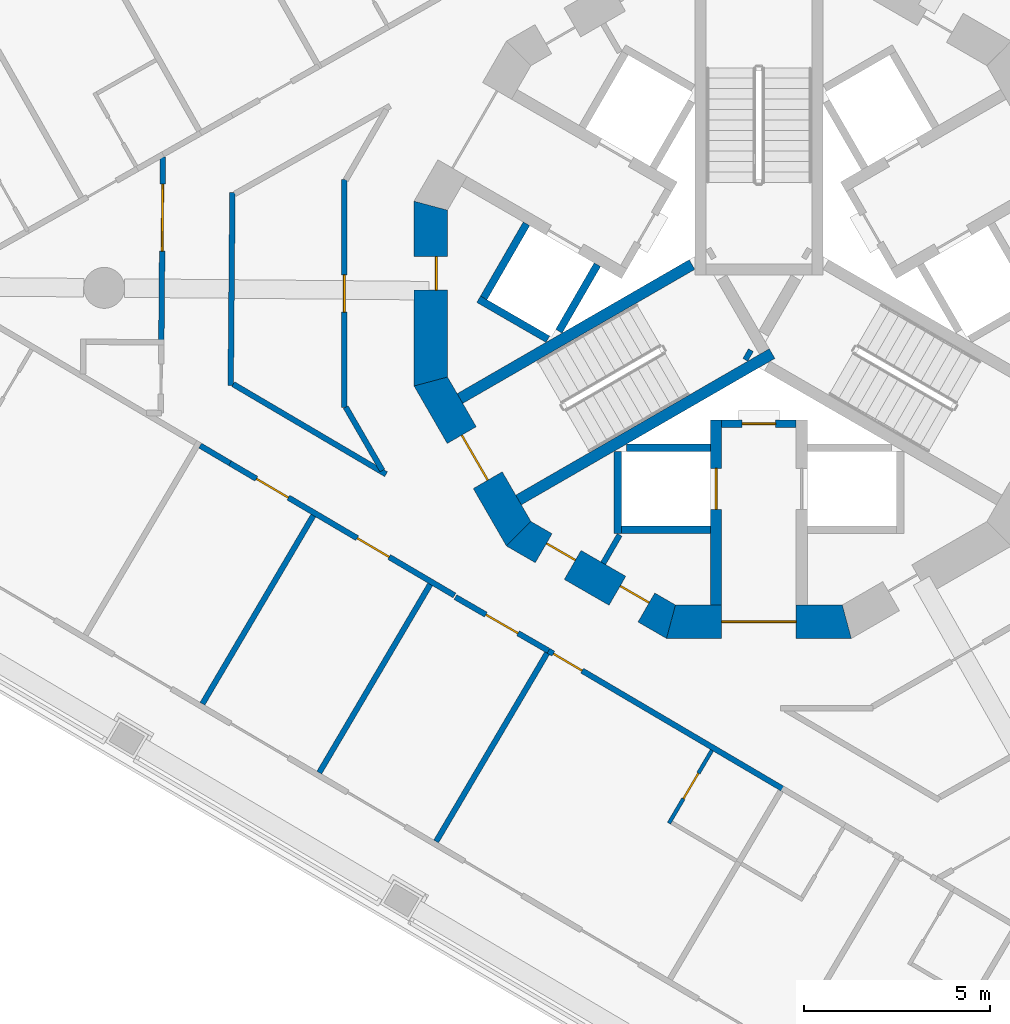
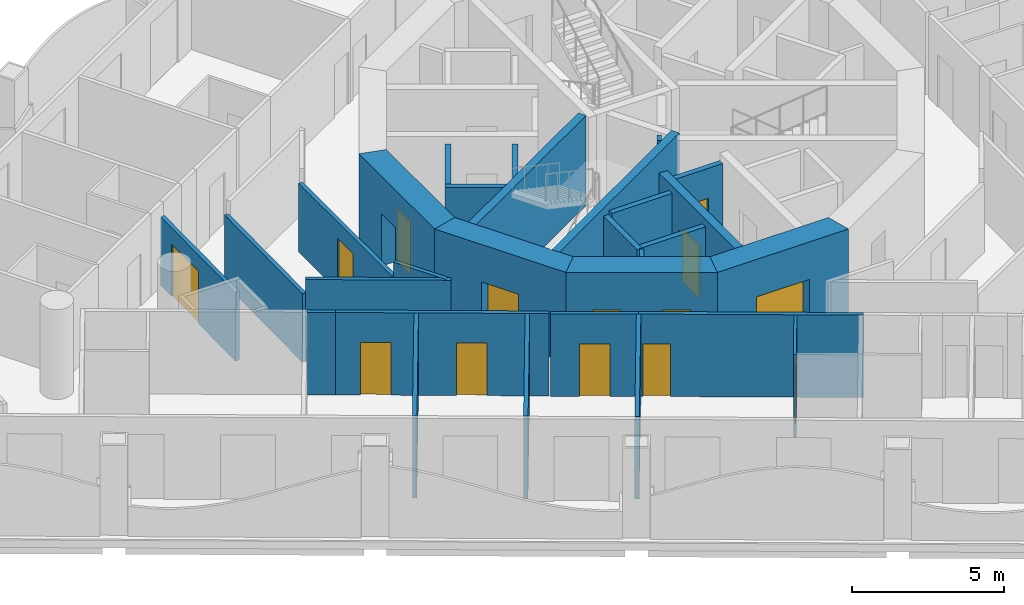
# One storey, part 3 of 17: 29 walls, 14 doors, 14 openings.
"""IFC4 building model written with IfcOpenShell, lengths in metres."""

from ifc_helpers import new_model, si_unit, direction, frame, frame_2d, origin, place, context, subcontext, project, spatial, polyline, rectangle, outline, extrude, material, layer, layer_set, type_object, element, fill, save


model = new_model("IFC4")

# Units and contexts
model_context = context("Model", 3, precision=1e-05, world=origin(), true_north=direction((0.0, 1.0)))
body_context = subcontext(model_context, "Body", "Model", "MODEL_VIEW")
ifc_project = project(units=[si_unit("LENGTHUNIT", "METRE"), si_unit("AREAUNIT", "SQUARE_METRE"), si_unit("VOLUMEUNIT", "CUBIC_METRE"), si_unit("PLANEANGLEUNIT", "RADIAN"), si_unit("MASSUNIT", "GRAM", prefix="KILO")], contexts=[model_context])

# Site, building, storey
site_placement = place(None, origin())
site = spatial("IfcSite", under=ifc_project, at=site_placement, CompositionType="ELEMENT")
building_placement = place(site_placement, origin())
building = spatial("IfcBuilding", under=site, at=building_placement, Name="Trine Commons Tower", CompositionType="ELEMENT")
storey_placement = place(building_placement, frame((0.0, 0.0, 182.699951171875)))
storey = spatial("IfcBuildingStorey", under=building, at=storey_placement, Name="L47", CompositionType="ELEMENT", Elevation=182.699951171875)

# Wall
ifc_material_1 = material(Name="Plasterboard partition on steel studs", Category="steel")
ifc_layer_1 = layer(ifc_material_1, 0.14990234375)
ifc_layer_set_1 = layer_set([ifc_layer_1], Name="Plasterboard partition on steel studs")
wall_type_1 = type_object("IfcWallType", Name="Core room partition 150 mm, EI 60", PredefinedType="PARTITIONING", material=ifc_layer_set_1)
wall_1_placement = place(storey_placement, frame((75.81396484375, 55.2490234375, 0.0), z_axis=(0.0, 0.0, 1.0), x_axis=(0.499890179513, 0.866088799389, 0.0)))
element("IfcWall", 1, at=wall_1_placement, inside=storey, type_object=wall_type_1, Name="Core room partition L47", PredefinedType="PARTITIONING", context=body_context, shape_type="SweptSolid", body=[
    extrude(rectangle(XDim=0.882080078125, YDim=0.14990234375, at=frame_2d((0.44091796875, 0.0))), origin(), (0.0, 0.0, 1.0), 3.300048828125),
])

# Wall, opening, door
ifc_material_2 = material(Name="Fire-rated gypsum shaft wall system")
ifc_layer_2 = layer(ifc_material_2, 0.199951171875)
ifc_layer_set_2 = layer_set([ifc_layer_2], Name="Fire-rated gypsum shaft wall system")
wall_type_2 = type_object("IfcWallType", Name="Lobby end wall 200 mm, EI 120", PredefinedType="PARTITIONING", material=ifc_layer_set_2)
wall_2_placement = place(storey_placement, frame((79.0, 59.0, 0.0), z_axis=(0.0, 0.0, 1.0), x_axis=(1.0, 0.0, 0.0)))
wall_2 = element("IfcWall", 2, at=wall_2_placement, inside=storey, type_object=wall_type_2, Name="Lobby end wall L47", PredefinedType="PARTITIONING", context=body_context, shape_type="SweptSolid", body=[
    extrude(rectangle(XDim=2.0, YDim=0.199951171875, at=frame_2d((1.0, 0.0))), origin(), (0.0, 0.0, 1.0), 3.300048828125),
])
opening_1_placement = place(wall_2_placement, frame((0.550048828125, 0.0, 0.0)))
opening_1 = element("IfcOpeningElement", 3, at=opening_1_placement, cuts=wall_2, Name="Opening K10.09", PredefinedType="OPENING", context=body_context, shape_type="SweptSolid", body=[
    extrude(rectangle(XDim=0.89990234375, YDim=2.10009765625, at=frame_2d((0.449951171875, 1.050048828125))), frame((0.0, 0.10986328125, 0.0), z_axis=(0.0, -1.0, 0.0), x_axis=(1.0, 0.0, 0.0)), (0.0, 0.0, 1.0), 0.219970703125),
])
ifc_material_3 = material(Name="Steel door leaf, fire-rated", Category="steel")
door_type_1 = type_object("IfcDoorType", Name="Riser access door, single leaf 900 x 2100, FD60", OperationType="SINGLE_SWING_LEFT", PredefinedType="DOOR", material=ifc_material_3)
door_1_placement = place(opening_1_placement, frame((0.89990234375, 0.0, 0.0), z_axis=(0.0, 0.0, 1.0), x_axis=(-1.0, 0.0, 0.0)))
door_1 = element("IfcDoor", 4, at=door_1_placement, inside=storey, type_object=door_type_1, Name="Riser door, Communications riser L47", OperationType="SINGLE_SWING_RIGHT", OverallHeight=2.10009765625, OverallWidth=0.89990234375, PredefinedType="DOOR", context=body_context, shape_type="SweptSolid", body=[
    extrude(rectangle(XDim=0.89990234375, YDim=2.10009765625, at=frame_2d((0.449951171875, 1.050048828125))), frame((0.0, 0.02490234375, 0.0), z_axis=(0.0, -1.0, 0.0), x_axis=(1.0, 0.0, 0.0)), (0.0, 0.0, 1.0), 0.050048828125),
])
fill(opening_1, door_1)

ifc_material_4 = material(Name="Concrete C60/75", Category="concrete")
ifc_layer_3 = layer(ifc_material_4, 0.300048828125)
ifc_layer_set_3 = layer_set([ifc_layer_3], Name="Concrete C60/75")
wall_type_3 = type_object("IfcWallType", Name="RC shear wall 300 mm, C60/75", PredefinedType="SHEAR", material=ifc_layer_set_3)
wall_3_placement = place(storey_placement, frame((78.85009765625, 59.10009765625, 0.0), z_axis=(0.0, 0.0, 1.0), x_axis=(0.0, -1.0, 0.0)))
wall_3 = element("IfcWall", 5, at=wall_3_placement, inside=storey, type_object=wall_type_3, Name="Core cross wall SWB-03 L47", PredefinedType="SHEAR", context=body_context, shape_type="SweptSolid", body=[
    extrude(rectangle(XDim=4.97314453125, YDim=0.300048828125, at=frame_2d((2.486572265625, 0.0))), origin(), (0.0, 0.0, 1.0), 3.60009765625),
])
opening_2_placement = place(wall_3_placement, frame((1.300048828125, 0.0, 0.0)))
opening_2 = element("IfcOpeningElement", 6, at=opening_2_placement, cuts=wall_3, Name="Opening LD10", PredefinedType="OPENING", context=body_context, shape_type="SweptSolid", body=[
    extrude(rectangle(XDim=1.10009765625, YDim=2.10009765625, at=frame_2d((0.550048828125, 1.050048828125))), frame((0.0, 0.159912109375, 0.0), z_axis=(0.0, -1.0, 0.0), x_axis=(1.0, 0.0, 0.0)), (0.0, 0.0, 1.0), 0.320068359375),
])
ifc_material_5 = material(Name="Stainless steel sliding door leaves", Category="steel")
door_type_2 = type_object("IfcDoorType", Name="Lift landing door, centre-opening sliding 1100 x 2100, FD90", OperationType="DOUBLE_DOOR_SLIDING", PredefinedType="DOOR", material=ifc_material_5)
door_2_placement = place(opening_2_placement, origin())
door_2 = element("IfcDoor", 7, at=door_2_placement, inside=storey, type_object=door_type_2, Name="Lift landing door FF2 L47", OperationType="DOUBLE_DOOR_SLIDING", OverallHeight=2.10009765625, OverallWidth=1.10009765625, PredefinedType="DOOR", context=body_context, shape_type="SweptSolid", body=[
    extrude(rectangle(XDim=1.10009765625, YDim=2.10009765625, at=frame_2d((0.550048828125, 1.050048828125))), frame((0.0, 0.02490234375, 0.0), z_axis=(0.0, -1.0, 0.0), x_axis=(1.0, 0.0, 0.0)), (0.0, 0.0, 1.0), 0.050048828125),
])
fill(opening_2, door_2)

# Walls
wall_4_placement = place(storey_placement, frame((78.199951171875, 63.280029296875, 0.0), z_axis=(0.0, 0.0, 1.0), x_axis=(-0.866028135082, -0.499995269223, 0.0)))
element("IfcWall", 8, at=wall_4_placement, inside=storey, type_object=wall_type_3, Name="Core cross wall SWB-07 L47", PredefinedType="SHEAR", context=body_context, shape_type="SweptSolid", body=[
    extrude(rectangle(XDim=7.2041015625, YDim=0.300048828125, at=frame_2d((3.60205078125, 0.0))), origin(), (0.0, 0.0, 1.0), 3.60009765625),
])
wall_5_placement = place(storey_placement, frame((79.64599609375, 60.885986328125, 0.0), z_axis=(0.0, 0.0, 1.0), x_axis=(0.867331893649, -0.497730234424, 0.0)))
element("IfcWall", 9, at=wall_5_placement, inside=storey, type_object=wall_type_3, Name="Core cross wall SWB-11 L47", PredefinedType="SHEAR", context=body_context, shape_type="SweptSolid", body=[
    extrude(rectangle(XDim=0.148681640625, YDim=0.300048828125, at=frame_2d((0.07421875, 0.0))), origin(), (0.0, 0.0, 1.0), 3.60009765625),
])
wall_6_placement = place(storey_placement, frame((80.35400390625, 60.885986328125, 0.0), z_axis=(0.0, 0.0, 1.0), x_axis=(-0.866047706748, -0.499961368145, 0.0)))
element("IfcWall", 10, at=wall_6_placement, inside=storey, type_object=wall_type_3, Name="Core cross wall SWB-14 L47", PredefinedType="SHEAR", context=body_context, shape_type="SweptSolid", body=[
    extrude(rectangle(XDim=7.87255859375, YDim=0.300048828125, at=frame_2d((3.936279296875, 0.0))), origin(), (0.0, 0.0, 1.0), 3.60009765625),
])

# Wall, opening, door
ifc_layer_4 = layer(ifc_material_4, 0.89990234375)
ifc_layer_set_4 = layer_set([ifc_layer_4], Name="Concrete C60/75")
wall_type_4 = type_object("IfcWallType", Name="RC shear wall 900 mm, C60/75", PredefinedType="SHEAR", material=ifc_layer_set_4)
wall_7_placement = place(storey_placement, frame((71.177001953125, 64.984619140625, 0.0), z_axis=(0.0, 0.0, 1.0), x_axis=(0.0, -1.0, 0.0)))
wall_7 = element("IfcWall", 11, at=wall_7_placement, inside=storey, type_object=wall_type_4, Name="Core wall CWE-07 L47", PredefinedType="SHEAR", context=body_context, shape_type="SweptSolid", body=[
    extrude(outline(polyline([(0.0, -0.449951171875), (4.969482421875, -0.449951171875), (4.728271484375, 0.449951171875), (0.2412109375, 0.449951171875), (0.0, -0.449951171875)])), origin(), (0.0, 0.0, 1.0), 3.60009765625),
])
opening_3_placement = place(wall_7_placement, frame((1.49365234375, 0.0, 0.0)))
opening_3 = element("IfcOpeningElement", 12, at=opening_3_placement, cuts=wall_7, Name="Opening K10.15", PredefinedType="OPENING", context=body_context, shape_type="SweptSolid", body=[
    extrude(rectangle(XDim=0.89990234375, YDim=2.10009765625, at=frame_2d((0.449951171875, 1.050048828125))), frame((0.0, 0.4599609375, 0.0), z_axis=(0.0, -1.0, 0.0), x_axis=(1.0, 0.0, 0.0)), (0.0, 0.0, 1.0), 0.919921875),
])
door_type_3 = type_object("IfcDoorType", Name="Core room door, single leaf 900 x 2100, FD30S", OperationType="SINGLE_SWING_LEFT", PredefinedType="DOOR", material=ifc_material_3)
door_3_placement = place(opening_3_placement, origin())
door_3 = element("IfcDoor", 13, at=door_3_placement, inside=storey, type_object=door_type_3, Name="Door to Cleaner's store L47", OperationType="SINGLE_SWING_LEFT", OverallHeight=2.10009765625, OverallWidth=0.89990234375, PredefinedType="DOOR", context=body_context, shape_type="SweptSolid", body=[
    extrude(rectangle(XDim=0.89990234375, YDim=2.10009765625, at=frame_2d((0.449951171875, 1.050048828125))), frame((0.0, 0.1748046875, 0.0), z_axis=(0.0, -1.0, 0.0), x_axis=(1.0, 0.0, 0.0)), (0.0, 0.0, 1.0), 0.050048828125),
])
fill(opening_3, door_3)

wall_8_placement = place(storey_placement, frame((71.11669921875, 60.240234375, 0.0), z_axis=(0.0, 0.0, 1.0), x_axis=(0.500038571144, -0.866003133579, 0.0)))
wall_8 = element("IfcWall", 14, at=wall_8_placement, inside=storey, type_object=wall_type_4, Name="Core wall CWE-08 L47", PredefinedType="SHEAR", context=body_context, shape_type="SweptSolid", body=[
    extrude(outline(polyline([(0.0, -0.449951171875), (4.96923828125, -0.449951171875), (4.72802734375, 0.449951171875), (0.2412109375, 0.449951171875), (0.0, -0.449951171875)])), origin(), (0.0, 0.0, 1.0), 3.60009765625),
])
opening_4_placement = place(wall_8_placement, frame((1.78466796875, 0.0, 0.0)))
opening_4 = element("IfcOpeningElement", 15, at=opening_4_placement, cuts=wall_8, Name="Opening K10.02", PredefinedType="OPENING", context=body_context, shape_type="SweptSolid", body=[
    extrude(rectangle(XDim=1.39990234375, YDim=2.10009765625, at=frame_2d((0.699951171875, 1.050048828125))), frame((0.0, 0.4599609375, 0.0), z_axis=(0.0, -1.0, 0.0), x_axis=(1.0, 0.0, 0.0)), (0.0, 0.0, 1.0), 0.919921875),
])
ifc_material_6 = material(Name="Steel door leaves, fire-rated", Category="steel")
door_type_4 = type_object("IfcDoorType", Name="Stair door, double leaf 1400 x 2100, FD90", OperationType="DOUBLE_DOOR_SINGLE_SWING", PredefinedType="DOOR", material=ifc_material_6)
door_4_placement = place(opening_4_placement, origin())
door_4 = element("IfcDoor", 16, at=door_4_placement, inside=storey, type_object=door_type_4, Name="Stair door to Exit stair ST2B L47", OperationType="DOUBLE_DOOR_SINGLE_SWING", OverallHeight=2.10009765625, OverallWidth=1.39990234375, PredefinedType="DOOR", context=body_context, shape_type="SweptSolid", body=[
    extrude(rectangle(XDim=1.39990234375, YDim=2.10009765625, at=frame_2d((0.699951171875, 1.050048828125))), frame((0.0, 0.02490234375, 0.0), z_axis=(0.0, -1.0, 0.0), x_axis=(1.0, 0.0, 0.0)), (0.0, 0.0, 1.0), 0.050048828125),
])
fill(opening_4, door_4)

# Wall, openings, doors
wall_9_placement = place(storey_placement, frame((73.436767578125, 56.1015625, 0.0), z_axis=(0.0, 0.0, 1.0), x_axis=(0.866003133579, -0.500038571144, 0.0)))
wall_9 = element("IfcWall", 17, at=wall_9_placement, inside=storey, type_object=wall_type_4, Name="Core wall CWE-09 L47", PredefinedType="SHEAR", context=body_context, shape_type="SweptSolid", body=[
    extrude(outline(polyline([(0.0, -0.449951171875), (4.96923828125, -0.449951171875), (4.72802734375, 0.449951171875), (0.2412109375, 0.449951171875), (0.0, -0.449951171875)])), origin(), (0.0, 0.0, 1.0), 3.60009765625),
])
opening_5_placement = place(wall_9_placement, frame((0.89599609375, 0.0, 0.0)))
opening_5 = element("IfcOpeningElement", 18, at=opening_5_placement, cuts=wall_9, Name="Opening K10.16", PredefinedType="OPENING", context=body_context, shape_type="SweptSolid", body=[
    extrude(rectangle(XDim=0.89990234375, YDim=2.10009765625, at=frame_2d((0.449951171875, 1.050048828125))), frame((0.0, 0.4599609375, 0.0), z_axis=(0.0, -1.0, 0.0), x_axis=(1.0, 0.0, 0.0)), (0.0, 0.0, 1.0), 0.919921875),
])
opening_6_placement = place(wall_9_placement, frame((3.18505859375, 0.0, 0.0)))
opening_6 = element("IfcOpeningElement", 19, at=opening_6_placement, cuts=wall_9, Name="Opening K10.17", PredefinedType="OPENING", context=body_context, shape_type="SweptSolid", body=[
    extrude(rectangle(XDim=0.89990234375, YDim=2.10009765625, at=frame_2d((0.449951171875, 1.050048828125))), frame((0.0, 0.4599609375, 0.0), z_axis=(0.0, -1.0, 0.0), x_axis=(1.0, 0.0, 0.0)), (0.0, 0.0, 1.0), 0.919921875),
])
door_5_placement = place(opening_5_placement, origin())
door_5 = element("IfcDoor", 20, at=door_5_placement, inside=storey, type_object=door_type_3, Name="Door to Linen store L47", OperationType="SINGLE_SWING_LEFT", OverallHeight=2.10009765625, OverallWidth=0.89990234375, PredefinedType="DOOR", context=body_context, shape_type="SweptSolid", body=[
    extrude(rectangle(XDim=0.89990234375, YDim=2.10009765625, at=frame_2d((0.449951171875, 1.050048828125))), frame((0.0, 0.1748046875, 0.0), z_axis=(0.0, -1.0, 0.0), x_axis=(1.0, 0.0, 0.0)), (0.0, 0.0, 1.0), 0.050048828125),
])
fill(opening_5, door_5)
door_6_placement = place(opening_6_placement, origin())
door_6 = element("IfcDoor", 21, at=door_6_placement, inside=storey, type_object=door_type_3, Name="Door to Pantry L47", OperationType="SINGLE_SWING_RIGHT", OverallHeight=2.10009765625, OverallWidth=0.89990234375, PredefinedType="DOOR", context=body_context, shape_type="SweptSolid", body=[
    extrude(rectangle(XDim=0.89990234375, YDim=2.10009765625, at=frame_2d((0.449951171875, 1.050048828125))), frame((0.0, 0.1748046875, 0.0), z_axis=(0.0, -1.0, 0.0), x_axis=(1.0, 0.0, 0.0)), (0.0, 0.0, 1.0), 0.050048828125),
])
fill(opening_6, door_6)

# Wall, opening, door
wall_10_placement = place(storey_placement, frame((77.515380859375, 53.677001953125, 0.0), z_axis=(0.0, 0.0, 1.0), x_axis=(1.0, 0.0, 0.0)))
wall_10 = element("IfcWall", 22, at=wall_10_placement, inside=storey, type_object=wall_type_4, Name="Core wall CWE-10 L47", PredefinedType="SHEAR", context=body_context, shape_type="SweptSolid", body=[
    extrude(outline(polyline([(0.0, -0.449951171875), (4.969482421875, -0.449951171875), (4.728271484375, 0.449951171875), (0.2412109375, 0.449951171875), (0.0, -0.449951171875)])), origin(), (0.0, 0.0, 1.0), 3.60009765625),
])
opening_7_placement = place(wall_10_placement, frame((1.484619140625, 0.0, 0.0)))
opening_7 = element("IfcOpeningElement", 23, at=opening_7_placement, cuts=wall_10, Name="Opening K10.08", PredefinedType="OPENING", context=body_context, shape_type="SweptSolid", body=[
    extrude(rectangle(XDim=2.0, YDim=2.10009765625, at=frame_2d((1.0, 1.050048828125))), frame((0.0, 0.4599609375, 0.0), z_axis=(0.0, -1.0, 0.0), x_axis=(1.0, 0.0, 0.0)), (0.0, 0.0, 1.0), 0.919921875),
])
door_type_5 = type_object("IfcDoorType", Name="Lobby door, double leaf 2000 x 2100, FD60", OperationType="DOUBLE_DOOR_SINGLE_SWING", PredefinedType="DOOR", material=ifc_material_6)
door_7_placement = place(opening_7_placement, origin())
door_7 = element("IfcDoor", 24, at=door_7_placement, inside=storey, type_object=door_type_5, Name="Lobby door, Service and firefighting lobby L47", OperationType="DOUBLE_DOOR_SINGLE_SWING", OverallHeight=2.10009765625, OverallWidth=2.0, PredefinedType="DOOR", context=body_context, shape_type="SweptSolid", body=[
    extrude(rectangle(XDim=2.0, YDim=2.10009765625, at=frame_2d((1.0, 1.050048828125))), frame((0.0, 0.02490234375, 0.0), z_axis=(0.0, -1.0, 0.0), x_axis=(1.0, 0.0, 0.0)), (0.0, 0.0, 1.0), 0.050048828125),
])
fill(opening_7, door_7)

# Walls
ifc_layer_5 = layer(ifc_material_2, 0.199951171875)
ifc_layer_set_5 = layer_set([ifc_layer_5], Name="Fire-rated gypsum shaft wall system")
wall_type_5 = type_object("IfcWallType", Name="Shaft wall 200 mm, EI 120", PredefinedType="PARTITIONING", material=ifc_layer_set_5)
wall_11_placement = place(storey_placement, frame((73.7509765625, 64.3759765625, 0.0), z_axis=(0.0, 0.0, 1.0), x_axis=(-0.500136062276, -0.86594683394, 0.0)))
element("IfcWall", 25, at=wall_11_placement, inside=storey, type_object=wall_type_5, Name="Shaft wall L47", PredefinedType="PARTITIONING", context=body_context, shape_type="SweptSolid", body=[
    extrude(rectangle(XDim=2.299072265625, YDim=0.199951171875, at=frame_2d((1.1494140625, 0.0))), origin(), (0.0, 0.0, 1.0), 3.300048828125),
])
wall_12_placement = place(storey_placement, frame((74.324951171875, 61.27392578125, 0.0), z_axis=(0.0, 0.0, 1.0), x_axis=(-0.866102336459, 0.499866725018, 0.0)))
element("IfcWall", 26, at=wall_12_placement, inside=storey, type_object=wall_type_5, Name="Shaft wall L47", PredefinedType="PARTITIONING", context=body_context, shape_type="SweptSolid", body=[
    extrude(rectangle(XDim=2.1484375, YDim=0.199951171875, at=frame_2d((1.07421875, 0.0))), origin(), (0.0, 0.0, 1.0), 3.300048828125),
])
wall_13_placement = place(storey_placement, frame((75.656005859375, 63.27587890625, 0.0), z_axis=(0.0, 0.0, 1.0), x_axis=(-0.500271688072, -0.86586848777, 0.0)))
element("IfcWall", 27, at=wall_13_placement, inside=storey, type_object=wall_type_5, Name="Shaft wall L47", PredefinedType="PARTITIONING", context=body_context, shape_type="SweptSolid", body=[
    extrude(rectangle(XDim=2.064697265625, YDim=0.199951171875, at=frame_2d((1.0322265625, 0.0))), origin(), (0.0, 0.0, 1.0), 3.300048828125),
])
wall_14_placement = place(storey_placement, frame((76.199951171875, 58.257080078125, 0.0), z_axis=(0.0, 0.0, 1.0), x_axis=(0.0, -1.0, 0.0)))
element("IfcWall", 28, at=wall_14_placement, inside=storey, type_object=wall_type_5, Name="Shaft wall L47", PredefinedType="PARTITIONING", context=body_context, shape_type="SweptSolid", body=[
    extrude(rectangle(XDim=2.20703125, YDim=0.199951171875, at=frame_2d((1.103515625, 0.0))), origin(), (0.0, 0.0, 1.0), 3.300048828125),
])
wall_15_placement = place(storey_placement, frame((78.699951171875, 56.14990234375, 0.0), z_axis=(0.0, 0.0, 1.0), x_axis=(-1.0, 0.0, 0.0)))
element("IfcWall", 29, at=wall_15_placement, inside=storey, type_object=wall_type_5, Name="Shaft wall L47", PredefinedType="PARTITIONING", context=body_context, shape_type="SweptSolid", body=[
    extrude(rectangle(XDim=2.39990234375, YDim=0.199951171875, at=frame_2d((1.199951171875, 0.0))), origin(), (0.0, 0.0, 1.0), 3.300048828125),
])
wall_16_placement = place(storey_placement, frame((78.699951171875, 58.35009765625, 0.0), z_axis=(0.0, 0.0, 1.0), x_axis=(-1.0, 0.0, 0.0)))
element("IfcWall", 30, at=wall_16_placement, inside=storey, type_object=wall_type_5, Name="Shaft wall L47", PredefinedType="PARTITIONING", context=body_context, shape_type="SweptSolid", body=[
    extrude(rectangle(XDim=2.264892578125, YDim=0.199951171875, at=frame_2d((1.13232421875, 0.0))), origin(), (0.0, 0.0, 1.0), 3.300048828125),
])

# Wall, opening, door
ifc_material_7 = material(Name="Gypsum plasterboard on steel stud", Category="steel")
ifc_layer_6 = layer(ifc_material_7, 0.14990234375)
ifc_layer_set_6 = layer_set([ifc_layer_6], Name="Gypsum plasterboard on steel stud")
wall_type_6 = type_object("IfcWallType", Name="Unit and corridor wall 150 mm, EI 60", PredefinedType="PARTITIONING", material=ifc_layer_set_6)
wall_17_placement = place(storey_placement, frame((63.931884765625, 61.18310546875, 0.0), z_axis=(0.0, 0.0, 1.0), x_axis=(0.008717466764, 0.999962002165, 0.0)))
wall_17 = element("IfcWall", 31, at=wall_17_placement, inside=storey, type_object=wall_type_6, Name="Partition 021", PredefinedType="PARTITIONING", context=body_context, shape_type="SweptSolid", body=[
    extrude(rectangle(XDim=4.985107421875, YDim=0.14990234375, at=frame_2d((2.49267578125, 0.0))), origin(), (0.0, 0.0, 1.0), 2.75),
])
opening_8_placement = place(wall_17_placement, frame((2.458984375, 0.0, 0.0)))
opening_8 = element("IfcOpeningElement", 32, at=opening_8_placement, cuts=wall_17, Name="Opening D-5C03", PredefinedType="OPENING", context=body_context, shape_type="SweptSolid", body=[
    extrude(rectangle(XDim=1.800048828125, YDim=2.10009765625, at=frame_2d((0.89990234375, 1.050048828125))), frame((0.0, 0.0849609375, 0.0), z_axis=(0.0, -1.0, 0.0), x_axis=(1.0, 0.0, 0.0)), (0.0, 0.0, 1.0), 0.169921875),
])
ifc_material_8 = material(Name="Timber fire door set", Category="wood")
door_type_6 = type_object("IfcDoorType", Name="Cluster entrance door 1800 x 2100, double leaf, FD30S", OperationType="DOUBLE_DOOR_DOUBLE_SWING", PredefinedType="DOOR", material=ifc_material_8)
door_8_placement = place(opening_8_placement, origin())
door_8 = element("IfcDoor", 33, at=door_8_placement, inside=storey, type_object=door_type_6, Name="Door D-5C03", OperationType="DOUBLE_DOOR_DOUBLE_SWING", OverallHeight=2.10009765625, OverallWidth=1.800048828125, PredefinedType="DOOR", context=body_context, shape_type="SweptSolid", body=[
    extrude(rectangle(XDim=1.800048828125, YDim=2.10009765625, at=frame_2d((0.89990234375, 1.050048828125))), frame((0.0, 0.02490234375, 0.0), z_axis=(0.0, -1.0, 0.0), x_axis=(1.0, 0.0, 0.0)), (0.0, 0.0, 1.0), 0.050048828125),
])
fill(opening_8, door_8)

# Walls
wall_18_placement = place(storey_placement, frame((64.9755859375, 58.411865234375, 0.0), z_axis=(0.0, 0.0, 1.0), x_axis=(0.861348284073, -0.508014894982, 0.0)))
element("IfcWall", 34, at=wall_18_placement, inside=storey, type_object=wall_type_6, Name="Partition 023", PredefinedType="PARTITIONING", context=body_context, shape_type="SweptSolid", body=[
    extrude(rectangle(XDim=0.932861328125, YDim=0.14990234375, at=frame_2d((0.46630859375, 0.0))), origin(), (0.0, 0.0, 1.0), 3.300048828125),
])
wall_19_placement = place(storey_placement, frame((65.037353515625, 51.470458984375, 0.0), z_axis=(0.0, 0.0, 1.0), x_axis=(0.507499507785, 0.861652046709, 0.0)))
element("IfcWall", 35, at=wall_19_placement, inside=storey, type_object=wall_type_6, Name="Partition 025", PredefinedType="PARTITIONING", context=body_context, shape_type="SweptSolid", body=[
    extrude(rectangle(XDim=5.874755859375, YDim=0.14990234375, at=frame_2d((2.9375, 0.0))), origin(), (0.0, 0.0, 1.0), 3.300048828125),
])

# Wall, openings, doors
wall_20_placement = place(storey_placement, frame((65.779052734375, 57.93798828125, 0.0), z_axis=(0.0, 0.0, 1.0), x_axis=(0.861623120435, -0.507548616718, 0.0)))
wall_20 = element("IfcWall", 36, at=wall_20_placement, inside=storey, type_object=wall_type_6, Name="Partition 027", PredefinedType="PARTITIONING", context=body_context, shape_type="SweptSolid", body=[
    extrude(rectangle(XDim=7.004150390625, YDim=0.14990234375, at=frame_2d((3.501953125, 0.0))), origin(), (0.0, 0.0, 1.0), 3.300048828125),
])
opening_9_placement = place(wall_20_placement, frame((3.967041015625, 0.0, 0.0)))
opening_9 = element("IfcOpeningElement", 37, at=opening_9_placement, cuts=wall_20, Name="Opening D-5C25", PredefinedType="OPENING", context=body_context, shape_type="SweptSolid", body=[
    extrude(rectangle(XDim=1.0, YDim=2.10009765625, at=frame_2d((0.5, 1.050048828125))), frame((0.0, 0.0849609375, 0.0), z_axis=(0.0, -1.0, 0.0), x_axis=(1.0, 0.0, 0.0)), (0.0, 0.0, 1.0), 0.169921875),
])
opening_10_placement = place(wall_20_placement, frame((0.82177734375, 0.0, 0.0)))
opening_10 = element("IfcOpeningElement", 38, at=opening_10_placement, cuts=wall_20, Name="Opening D-5C26", PredefinedType="OPENING", context=body_context, shape_type="SweptSolid", body=[
    extrude(rectangle(XDim=1.0, YDim=2.10009765625, at=frame_2d((0.5, 1.050048828125))), frame((0.0, 0.0849609375, 0.0), z_axis=(0.0, -1.0, 0.0), x_axis=(1.0, 0.0, 0.0)), (0.0, 0.0, 1.0), 0.169921875),
])
ifc_material_9 = material(Name="Painted timber", Category="wood")
door_type_7 = type_object("IfcDoorType", Name="Amenity room door 1000 x 2100, NOT RATED", OperationType="NOTDEFINED", PredefinedType="DOOR", material=ifc_material_9)
door_9_placement = place(opening_9_placement, frame((1.0, 0.0, 0.0), z_axis=(0.0, 0.0, 1.0), x_axis=(-1.0, 0.0, 0.0)))
door_9 = element("IfcDoor", 39, at=door_9_placement, inside=storey, type_object=door_type_7, Name="Door D-5C25", OperationType="SINGLE_SWING_LEFT", OverallHeight=2.10009765625, OverallWidth=1.0, PredefinedType="DOOR", context=body_context, shape_type="SweptSolid", body=[
    extrude(rectangle(XDim=1.0, YDim=2.10009765625, at=frame_2d((0.5, 1.050048828125))), frame((0.0, 0.02490234375, 0.0), z_axis=(0.0, -1.0, 0.0), x_axis=(1.0, 0.0, 0.0)), (0.0, 0.0, 1.0), 0.050048828125),
])
fill(opening_9, door_9)
door_10_placement = place(opening_10_placement, frame((1.0, 0.0, 0.0), z_axis=(0.0, 0.0, 1.0), x_axis=(-1.0, 0.0, 0.0)))
door_10 = element("IfcDoor", 40, at=door_10_placement, inside=storey, type_object=door_type_7, Name="Door D-5C26", OperationType="SINGLE_SWING_RIGHT", OverallHeight=2.10009765625, OverallWidth=1.0, PredefinedType="DOOR", context=body_context, shape_type="SweptSolid", body=[
    extrude(rectangle(XDim=1.0, YDim=2.10009765625, at=frame_2d((0.5, 1.050048828125))), frame((0.0, 0.02490234375, 0.0), z_axis=(0.0, -1.0, 0.0), x_axis=(1.0, 0.0, 0.0)), (0.0, 0.0, 1.0), 0.050048828125),
])
fill(opening_10, door_10)

# Walls
wall_21_placement = place(storey_placement, frame((65.79736328125, 60.028076171875, 0.0), z_axis=(0.0, 0.0, 1.0), x_axis=(0.008747666417, 0.999961738434, 0.0)))
element("IfcWall", 41, at=wall_21_placement, inside=storey, type_object=wall_type_6, Name="Partition 028", PredefinedType="PARTITIONING", context=body_context, shape_type="SweptSolid", body=[
    extrude(rectangle(XDim=5.191162109375, YDim=0.14990234375, at=frame_2d((2.595703125, 0.0))), origin(), (0.0, 0.0, 1.0), 2.75),
])
wall_22_placement = place(storey_placement, frame((65.862548828125, 60.06494140625, 0.0), z_axis=(0.0, 0.0, 1.0), x_axis=(0.861635540959, -0.507527530835, 0.0)))
element("IfcWall", 42, at=wall_22_placement, inside=storey, type_object=wall_type_6, Name="Partition 029", PredefinedType="PARTITIONING", context=body_context, shape_type="SweptSolid", body=[
    extrude(rectangle(XDim=4.7724609375, YDim=0.14990234375, at=frame_2d((2.38623046875, 0.0))), origin(), (0.0, 0.0, 1.0), 3.300048828125),
])
wall_23_placement = place(storey_placement, frame((68.17919921875, 49.619384765625, 0.0), z_axis=(0.0, 0.0, 1.0), x_axis=(0.507603061138, 0.861591047031, 0.0)))
element("IfcWall", 43, at=wall_23_placement, inside=storey, type_object=wall_type_6, Name="Partition 033", PredefinedType="PARTITIONING", context=body_context, shape_type="SweptSolid", body=[
    extrude(rectangle(XDim=5.8740234375, YDim=0.14990234375, at=frame_2d((2.93701171875, 0.0))), origin(), (0.0, 0.0, 1.0), 3.300048828125),
])

# Wall, opening, door
wall_24_placement = place(storey_placement, frame((68.85205078125, 59.43798828125, 0.0), z_axis=(0.0, 0.0, 1.0), x_axis=(0.0, 1.0, 0.0)))
wall_24 = element("IfcWall", 44, at=wall_24_placement, inside=storey, type_object=wall_type_6, Name="Partition 035", PredefinedType="PARTITIONING", context=body_context, shape_type="SweptSolid", body=[
    extrude(rectangle(XDim=6.1240234375, YDim=0.14990234375, at=frame_2d((3.06201171875, 0.0))), origin(), (0.0, 0.0, 1.0), 2.75),
])
opening_11_placement = place(wall_24_placement, frame((2.56201171875, 0.0, 0.0)))
opening_11 = element("IfcOpeningElement", 45, at=opening_11_placement, cuts=wall_24, Name="Opening D-5C28", PredefinedType="OPENING", context=body_context, shape_type="SweptSolid", body=[
    extrude(rectangle(XDim=1.0, YDim=2.10009765625, at=frame_2d((0.5, 1.050048828125))), frame((0.0, 0.0849609375, 0.0), z_axis=(0.0, -1.0, 0.0), x_axis=(1.0, 0.0, 0.0)), (0.0, 0.0, 1.0), 0.169921875),
])
door_11_placement = place(opening_11_placement, origin())
door_11 = element("IfcDoor", 46, at=door_11_placement, inside=storey, type_object=door_type_7, Name="Door D-5C28", OperationType="SINGLE_SWING_RIGHT", OverallHeight=2.10009765625, OverallWidth=1.0, PredefinedType="DOOR", context=body_context, shape_type="SweptSolid", body=[
    extrude(rectangle(XDim=1.0, YDim=2.10009765625, at=frame_2d((0.5, 1.050048828125))), frame((0.0, 0.02490234375, 0.0), z_axis=(0.0, -1.0, 0.0), x_axis=(1.0, 0.0, 0.0)), (0.0, 0.0, 1.0), 0.050048828125),
])
fill(opening_11, door_11)

# Walls
wall_25_placement = place(storey_placement, frame((68.889404296875, 59.447998046875, 0.0), z_axis=(0.0, 0.0, 1.0), x_axis=(0.500259007655, -0.865875813994, 0.0)))
element("IfcWall", 47, at=wall_25_placement, inside=storey, type_object=wall_type_6, Name="Partition 036", PredefinedType="PARTITIONING", context=body_context, shape_type="SweptSolid", body=[
    extrude(rectangle(XDim=1.96923828125, YDim=0.14990234375, at=frame_2d((0.984619140625, 0.0))), origin(), (0.0, 0.0, 1.0), 3.300048828125),
])
wall_26_placement = place(storey_placement, frame((71.322265625, 47.7685546875, 0.0), z_axis=(0.0, 0.0, 1.0), x_axis=(0.507621238888, 0.86158033742, 0.0)))
element("IfcWall", 48, at=wall_26_placement, inside=storey, type_object=wall_type_6, Name="Partition 040", PredefinedType="PARTITIONING", context=body_context, shape_type="SweptSolid", body=[
    extrude(rectangle(XDim=5.873779296875, YDim=0.14990234375, at=frame_2d((2.93701171875, 0.0))), origin(), (0.0, 0.0, 1.0), 3.300048828125),
])

# Wall, opening, door
wall_27_placement = place(storey_placement, frame((71.839111328125, 54.339111328125, 0.0), z_axis=(0.0, 0.0, 1.0), x_axis=(0.866109656245, -0.499854042055, 0.0)))
wall_27 = element("IfcWall", 49, at=wall_27_placement, inside=storey, type_object=wall_type_6, Name="Partition 042", PredefinedType="PARTITIONING", context=body_context, shape_type="SweptSolid", body=[
    extrude(rectangle(XDim=2.890869140625, YDim=0.14990234375, at=frame_2d((1.4453125, 0.0))), origin(), (0.0, 0.0, 1.0), 3.300048828125),
])
opening_12_placement = place(wall_27_placement, frame((0.94482421875, 0.0, 0.0)))
opening_12 = element("IfcOpeningElement", 50, at=opening_12_placement, cuts=wall_27, Name="Opening D-5C24", PredefinedType="OPENING", context=body_context, shape_type="SweptSolid", body=[
    extrude(rectangle(XDim=1.0, YDim=2.10009765625, at=frame_2d((0.5, 1.050048828125))), frame((0.0, 0.0849609375, 0.0), z_axis=(0.0, -1.0, 0.0), x_axis=(1.0, 0.0, 0.0)), (0.0, 0.0, 1.0), 0.169921875),
])
door_12_placement = place(opening_12_placement, frame((1.0, 0.0, 0.0), z_axis=(0.0, 0.0, 1.0), x_axis=(-1.0, 0.0, 0.0)))
door_12 = element("IfcDoor", 51, at=door_12_placement, inside=storey, type_object=door_type_7, Name="Door D-5C24", OperationType="SINGLE_SWING_RIGHT", OverallHeight=2.10009765625, OverallWidth=1.0, PredefinedType="DOOR", context=body_context, shape_type="SweptSolid", body=[
    extrude(rectangle(XDim=1.0, YDim=2.10009765625, at=frame_2d((0.5, 1.050048828125))), frame((0.0, 0.02490234375, 0.0), z_axis=(0.0, -1.0, 0.0), x_axis=(1.0, 0.0, 0.0)), (0.0, 0.0, 1.0), 0.050048828125),
])
fill(opening_12, door_12)

wall_28_placement = place(storey_placement, frame((74.343017578125, 52.89306640625, 0.0), z_axis=(0.0, 0.0, 1.0), x_axis=(0.861637780131, -0.507523729348, 0.0)))
wall_28 = element("IfcWall", 52, at=wall_28_placement, inside=storey, type_object=wall_type_6, Name="Partition 043", PredefinedType="PARTITIONING", context=body_context, shape_type="SweptSolid", body=[
    extrude(rectangle(XDim=7.37158203125, YDim=0.14990234375, at=frame_2d((3.685791015625, 0.0))), origin(), (0.0, 0.0, 1.0), 3.300048828125),
])
opening_13_placement = place(wall_28_placement, frame((0.14990234375, 0.0, 0.0)))
opening_13 = element("IfcOpeningElement", 53, at=opening_13_placement, cuts=wall_28, Name="Opening D-5C23", PredefinedType="OPENING", context=body_context, shape_type="SweptSolid", body=[
    extrude(rectangle(XDim=0.89990234375, YDim=2.10009765625, at=frame_2d((0.449951171875, 1.050048828125))), frame((0.0, 0.0849609375, 0.0), z_axis=(0.0, -1.0, 0.0), x_axis=(1.0, 0.0, 0.0)), (0.0, 0.0, 1.0), 0.169921875),
])
door_type_8 = type_object("IfcDoorType", Name="Bedroom door 900 x 2100, FD30S", OperationType="NOTDEFINED", PredefinedType="DOOR", material=ifc_material_8)
door_13_placement = place(opening_13_placement, frame((0.89990234375, 0.0, 0.0), z_axis=(0.0, 0.0, 1.0), x_axis=(-1.0, 0.0, 0.0)))
door_13 = element("IfcDoor", 54, at=door_13_placement, inside=storey, type_object=door_type_8, Name="Door D-5C23", OperationType="SINGLE_SWING_RIGHT", OverallHeight=2.10009765625, OverallWidth=0.89990234375, PredefinedType="DOOR", context=body_context, shape_type="SweptSolid", body=[
    extrude(rectangle(XDim=0.89990234375, YDim=2.10009765625, at=frame_2d((0.449951171875, 1.050048828125))), frame((0.0, 0.02490234375, 0.0), z_axis=(0.0, -1.0, 0.0), x_axis=(1.0, 0.0, 0.0)), (0.0, 0.0, 1.0), 0.050048828125),
])
fill(opening_13, door_13)

ifc_layer_7 = layer(ifc_material_7, 0.10009765625)
ifc_layer_set_7 = layer_set([ifc_layer_7], Name="Gypsum plasterboard on steel stud")
wall_type_7 = type_object("IfcWallType", Name="Unit partition 100 mm, no rating", PredefinedType="PARTITIONING", material=ifc_layer_set_7)
wall_29_placement = place(storey_placement, frame((77.58154296875, 48.2587890625, 0.0), z_axis=(0.0, 0.0, 1.0), x_axis=(0.507517296511, 0.861641569182, 0.0)))
wall_29 = element("IfcWall", 55, at=wall_29_placement, inside=storey, type_object=wall_type_7, Name="Partition 047", PredefinedType="PARTITIONING", context=body_context, shape_type="SweptSolid", body=[
    extrude(rectangle(XDim=2.2744140625, YDim=0.10009765625, at=frame_2d((1.13720703125, 0.0))), origin(), (0.0, 0.0, 1.0), 3.300048828125),
])
opening_14_placement = place(wall_29_placement, frame((0.76220703125, 0.0, 0.0)))
opening_14 = element("IfcOpeningElement", 56, at=opening_14_placement, cuts=wall_29, Name="Opening D-5C49", PredefinedType="OPENING", context=body_context, shape_type="SweptSolid", body=[
    extrude(rectangle(XDim=0.800048828125, YDim=2.10009765625, at=frame_2d((0.39990234375, 1.050048828125))), frame((0.0, 0.06005859375, 0.0), z_axis=(0.0, -1.0, 0.0), x_axis=(1.0, 0.0, 0.0)), (0.0, 0.0, 1.0), 0.1201171875),
])
door_type_9 = type_object("IfcDoorType", Name="Internal door 800 x 2100, NOT RATED", OperationType="NOTDEFINED", PredefinedType="DOOR", material=ifc_material_9)
door_14_placement = place(opening_14_placement, origin())
door_14 = element("IfcDoor", 57, at=door_14_placement, inside=storey, type_object=door_type_9, Name="Door D-5C49", OperationType="SINGLE_SWING_RIGHT", OverallHeight=2.10009765625, OverallWidth=0.800048828125, PredefinedType="DOOR", context=body_context, shape_type="SweptSolid", body=[
    extrude(rectangle(XDim=0.800048828125, YDim=2.10009765625, at=frame_2d((0.39990234375, 1.050048828125))), frame((0.0, 0.02490234375, 0.0), z_axis=(0.0, -1.0, 0.0), x_axis=(1.0, 0.0, 0.0)), (0.0, 0.0, 1.0), 0.050048828125),
])
fill(opening_14, door_14)

save(model, "model.ifc")
